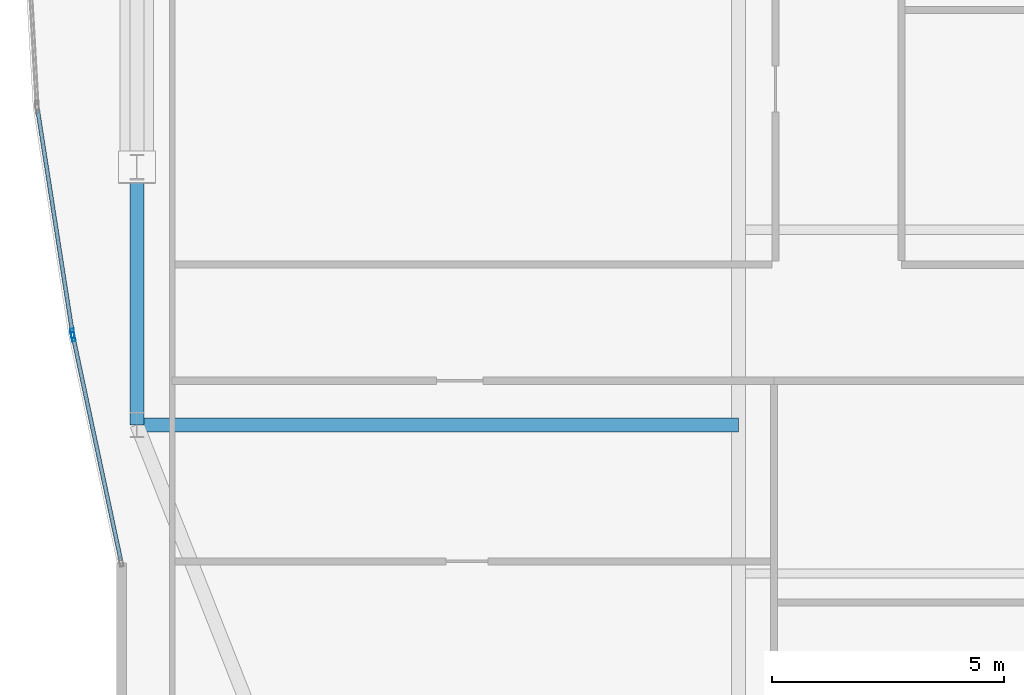
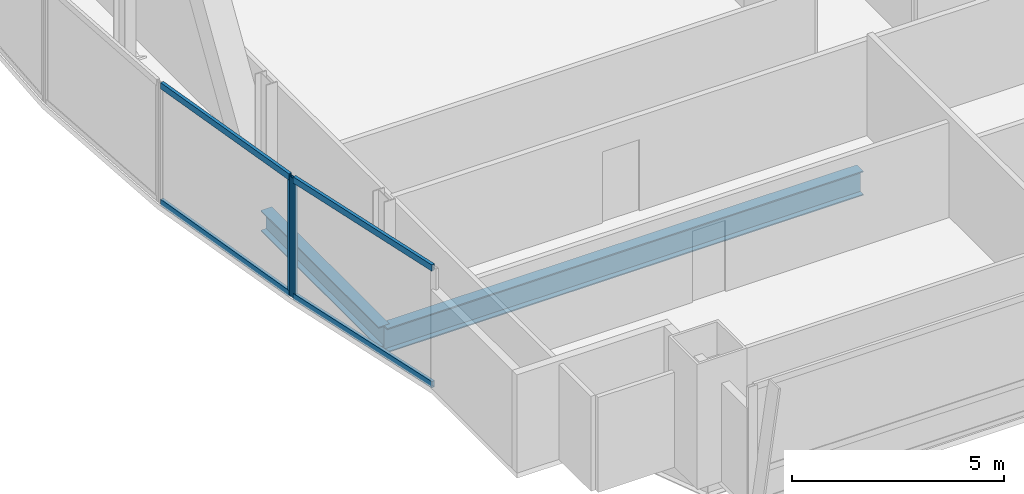
# One storey, part 6 of 30: 6 members, 2 beams, 2 elements without a shape of their own.
"""IFC4 building model written with IfcOpenShell, lengths in metres."""

from ifc_helpers import new_model, si_unit, direction, frame, origin, origin_2d, place, context, subcontext, project, spatial, hollow_rectangle, i_section, extrude, material, material_profile, profile_set, type_object, element, aggregate, save


model = new_model("IFC4")

# Units and contexts
model_context = context("Model", 3, precision=1e-05, world=origin(), true_north=direction((0.0, 1.0)))
body_context = subcontext(model_context, "Body", "Model", "MODEL_VIEW")
ifc_project = project(units=[si_unit("LENGTHUNIT", "METRE"), si_unit("AREAUNIT", "SQUARE_METRE"), si_unit("VOLUMEUNIT", "CUBIC_METRE"), si_unit("PLANEANGLEUNIT", "RADIAN"), si_unit("MASSUNIT", "GRAM", prefix="KILO")], contexts=[model_context])

# Site, building, storey
site_placement = place(None, origin())
site = spatial("IfcSite", under=ifc_project, at=site_placement, CompositionType="ELEMENT")
building_placement = place(site_placement, origin())
building = spatial("IfcBuilding", under=site, at=building_placement, Name="Khoronbel Lancet Exchange", CompositionType="ELEMENT")
storey_placement = place(building_placement, frame((0.0, 0.0, 157.800048828125)))
storey = spatial("IfcBuildingStorey", under=building, at=storey_placement, Name="L39", CompositionType="ELEMENT", Elevation=157.800048828125)

# Beams
ifc_material_1 = material(Name="Steel S355", Category="steel")
ifc_material_profile_1 = material_profile(ifc_material_1, i_section(OverallWidth=0.300048828125, OverallDepth=0.699951171875, WebThickness=0.01708984375, FlangeThickness=0.031982421875, at=origin_2d()), Name="HEB 700")
ifc_profile_set_1 = profile_set([ifc_material_profile_1], Name="Steel S355")
beam_type_1 = type_object("IfcBeamType", Name="BM-BG3", PredefinedType="BEAM", material=ifc_profile_set_1)
beam_1_placement = place(storey_placement, frame((5.27001953125, 19.199951171875, -0.510009765625), z_axis=(1.0, 0.0, 0.0), x_axis=(0.0, 1.0, 0.0)))
element("IfcBeam", 1, at=beam_1_placement, inside=storey, type_object=beam_type_1, Name="Level L39 west lens tie girder LG1W", PredefinedType="BEAM", context=body_context, shape_type="SweptSolid", body=[
    extrude(i_section(OverallWidth=0.300048828125, OverallDepth=0.699951171875, WebThickness=0.01708984375, FlangeThickness=0.031982421875, at=origin_2d()), origin(), (0.0, 0.0, 1.0), 12.955078125),
])
ifc_material_profile_2 = material_profile(ifc_material_1, i_section(OverallWidth=0.300048828125, OverallDepth=0.60009765625, WebThickness=0.015380859375, FlangeThickness=0.030029296875, at=origin_2d()), Name="HEB 600")
ifc_profile_set_2 = profile_set([ifc_material_profile_2], Name="Steel S355")
beam_type_2 = type_object("IfcBeamType", Name="BM-BSP2", PredefinedType="SPANDREL", material=ifc_profile_set_2)
beam_2_placement = place(storey_placement, frame((5.27001953125, 24.75, -0.4599609375), z_axis=(0.0, -1.0, 0.0), x_axis=(1.0, 0.0, 0.0)))
element("IfcBeam", 2, at=beam_2_placement, inside=storey, type_object=beam_type_2, Name="Level L39 perimeter spandrel beam SP20", PredefinedType="SPANDREL", context=body_context, shape_type="SweptSolid", body=[
    extrude(i_section(OverallWidth=0.300048828125, OverallDepth=0.60009765625, WebThickness=0.015380859375, FlangeThickness=0.030029296875, at=origin_2d()), origin(), (0.0, 0.0, 1.0), 5.550048828125),
])

# Curtain wall, member
ifc_material_2 = material(Name="Low-E Solar Control Insulating Glass", Category="glass")
curtain_wall_type = type_object("IfcCurtainWallType", Name="CW-4", PredefinedType="NOTDEFINED", material=ifc_material_2)
curtain_wall_1_placement = place(storey_placement, origin())
curtain_wall_1 = element("IfcCurtainWall", 3, at=curtain_wall_1_placement, inside=storey, type_object=curtain_wall_type, Name="Unitised curtain wall CW-L39-E04", PredefinedType="NOTDEFINED")
ifc_material_3 = material(Name="Bronze-Anodised Aluminium 6063-T6", Category="aluminium")
ifc_material_profile_3 = material_profile(ifc_material_3, hollow_rectangle(XDim=0.074951171875, YDim=0.199951171875, WallThickness=0.0048828125, at=origin_2d()), Name="ALU MULLION 75x200")
ifc_profile_set_3 = profile_set([ifc_material_profile_3], Name="Bronze-Anodised Aluminium 6063-T6")
member_type_1 = type_object("IfcMemberType", Name="MEM-CWM2", PredefinedType="MULLION", material=ifc_profile_set_3)
member_1_placement = place(storey_placement, frame((3.898193359375, 21.096435546875, 0.0), z_axis=(0.0, 0.0, 1.0), x_axis=(-0.978023090529, -0.208496605228, 0.0)))
member_1 = element("IfcMember", 4, at=member_1_placement, type_object=member_type_1, Name="CW4 mullion 2", PredefinedType="MULLION", context=body_context, shape_type="SweptSolid", body=[
    extrude(hollow_rectangle(XDim=0.074951171875, YDim=0.199951171875, WallThickness=0.0048828125, at=origin_2d()), origin(), (0.0, 0.0, 1.0), 3.43994140625),
])

curtain_wall_2_placement = place(storey_placement, origin())
curtain_wall_2 = element("IfcCurtainWall", 5, at=curtain_wall_2_placement, inside=storey, type_object=curtain_wall_type, Name="Unitised curtain wall CW-L39-E05", PredefinedType="NOTDEFINED")
member_2_placement = place(storey_placement, frame((3.884521484375, 21.170166015625, 0.0), z_axis=(0.0, 0.0, 1.0), x_axis=(-0.98804136719, -0.154189029189, 0.0)))
member_2 = element("IfcMember", 6, at=member_2_placement, type_object=member_type_1, Name="CW4 mullion 1", PredefinedType="MULLION", context=body_context, shape_type="SweptSolid", body=[
    extrude(hollow_rectangle(XDim=0.074951171875, YDim=0.199951171875, WallThickness=0.0048828125, at=origin_2d()), origin(), (0.0, 0.0, 1.0), 3.43994140625),
])

# Member
ifc_material_profile_4 = material_profile(ifc_material_3, hollow_rectangle(XDim=0.0849609375, YDim=0.179931640625, WallThickness=0.0048828125, at=origin_2d()), Name="ALU TRANSOM 85x180")
ifc_profile_set_4 = profile_set([ifc_material_profile_4], Name="Bronze-Anodised Aluminium 6063-T6")
member_type_2 = type_object("IfcMemberType", Name="MEM-CWT1", PredefinedType="USERDEFINED", material=ifc_profile_set_4)
member_3_placement = place(storey_placement, frame((4.92431640625, 16.282958984375, 0.04248046875), z_axis=(-0.208501407633, 0.978022066732, 0.0), x_axis=(-0.978022066732, -0.208501407633, 0.0)))
member_3 = element("IfcMember", 7, at=member_3_placement, type_object=member_type_2, Name="CW4 transom 1.1", ObjectType="TRANSOM", PredefinedType="USERDEFINED", context=body_context, shape_type="SweptSolid", body=[
    extrude(hollow_rectangle(XDim=0.0849609375, YDim=0.179931640625, WallThickness=0.0048828125, at=origin_2d()), origin(), (0.0, 0.0, 1.0), 4.884033203125),
])

member_4_placement = place(storey_placement, frame((4.92431640625, 16.282958984375, 3.3974609375), z_axis=(-0.208501407633, 0.978022066732, 0.0), x_axis=(-0.978022066732, -0.208501407633, 0.0)))
member_4 = element("IfcMember", 8, at=member_4_placement, type_object=member_type_2, Name="CW4 transom 1.2", ObjectType="TRANSOM", PredefinedType="USERDEFINED", context=body_context, shape_type="SweptSolid", body=[
    extrude(hollow_rectangle(XDim=0.0849609375, YDim=0.179931640625, WallThickness=0.0048828125, at=origin_2d()), origin(), (0.0, 0.0, 1.0), 4.884033203125),
])

aggregate(curtain_wall_1, [member_1, member_3, member_4])

member_5_placement = place(storey_placement, frame((3.87890625, 21.20703125, 0.04248046875), z_axis=(-0.154203799478, 0.988039062095, 0.0), x_axis=(-0.988039062095, -0.154203799478, 0.0)))
member_5 = element("IfcMember", 9, at=member_5_placement, type_object=member_type_2, Name="CW4 transom 1.1", ObjectType="TRANSOM", PredefinedType="USERDEFINED", context=body_context, shape_type="SweptSolid", body=[
    extrude(hollow_rectangle(XDim=0.0849609375, YDim=0.179931640625, WallThickness=0.0048828125, at=origin_2d()), origin(), (0.0, 0.0, 1.0), 4.8193359375),
])

member_6_placement = place(storey_placement, frame((3.87890625, 21.20703125, 3.3974609375), z_axis=(-0.154203799478, 0.988039062095, 0.0), x_axis=(-0.988039062095, -0.154203799478, 0.0)))
member_6 = element("IfcMember", 10, at=member_6_placement, type_object=member_type_2, Name="CW4 transom 1.2", ObjectType="TRANSOM", PredefinedType="USERDEFINED", context=body_context, shape_type="SweptSolid", body=[
    extrude(hollow_rectangle(XDim=0.0849609375, YDim=0.179931640625, WallThickness=0.0048828125, at=origin_2d()), origin(), (0.0, 0.0, 1.0), 4.8193359375),
])

aggregate(curtain_wall_2, [member_2, member_5, member_6])

save(model, "model.ifc")
